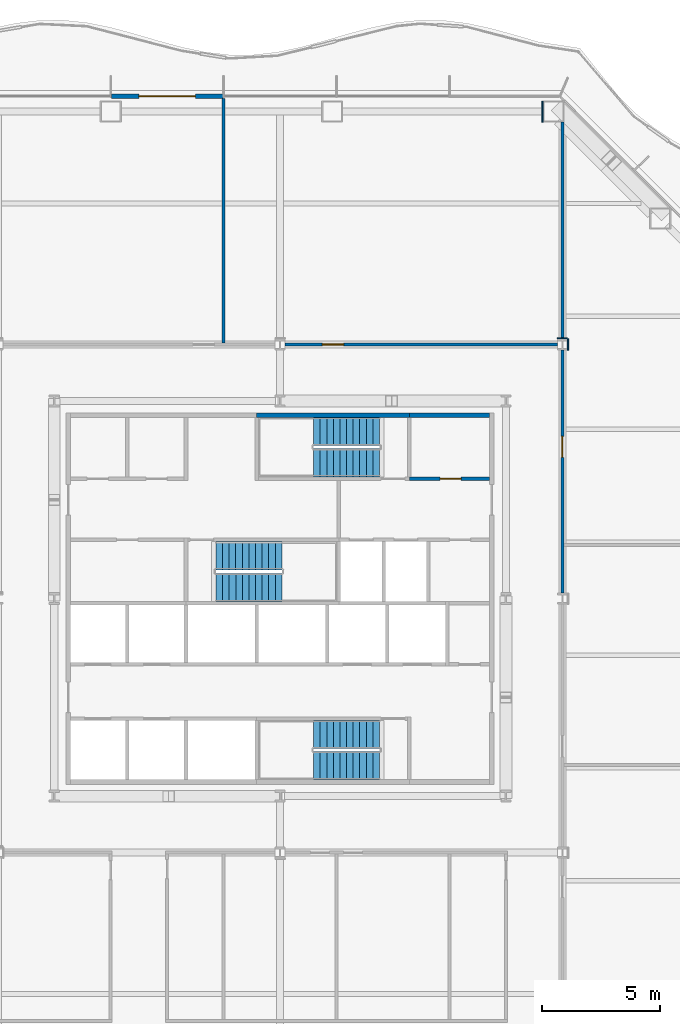
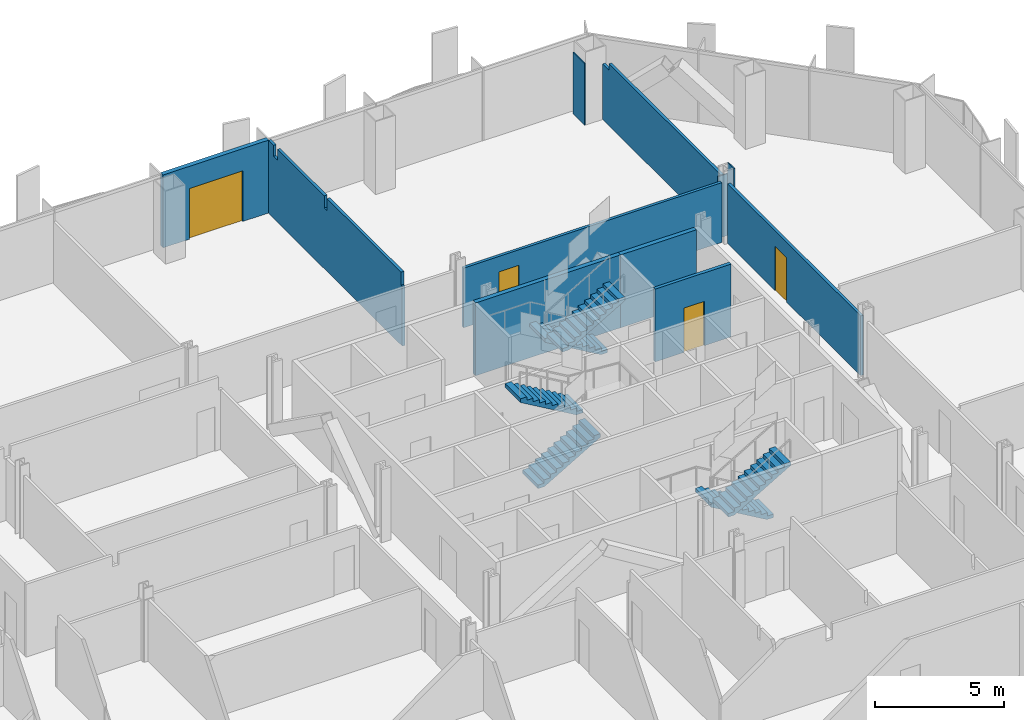
# One storey, part 11 of 18: 11 walls, 6 stair flights, 4 doors, 4 openings, 3 elements without a shape of their own.
"""IFC4 building model written with IfcOpenShell, lengths in metres."""

from ifc_helpers import new_model, si_unit, direction, frame, frame_2d, origin, place, context, subcontext, project, spatial, polyline, rectangle, outline, extrude, material, layer, layer_set, type_object, element, fill, aggregate, save


model = new_model("IFC4")

# Units and contexts
model_context = context("Model", 3, precision=1e-05, world=origin(), true_north=direction((0.0, 1.0)))
body_context = subcontext(model_context, "Body", "Model", "MODEL_VIEW")
ifc_project = project(units=[si_unit("LENGTHUNIT", "METRE"), si_unit("AREAUNIT", "SQUARE_METRE"), si_unit("VOLUMEUNIT", "CUBIC_METRE"), si_unit("PLANEANGLEUNIT", "RADIAN"), si_unit("MASSUNIT", "GRAM", prefix="KILO")], contexts=[model_context])

# Site, building, storey
site_placement = place(None, origin())
site = spatial("IfcSite", under=ifc_project, at=site_placement, CompositionType="ELEMENT")
building_placement = place(site_placement, origin())
building = spatial("IfcBuilding", under=site, at=building_placement, Name="Cairn Pilgrim Tower", CompositionType="ELEMENT")
storey_placement = place(building_placement, frame((0.0, 0.0, 72.60009765625)))
storey = spatial("IfcBuildingStorey", under=building, at=storey_placement, Name="L16", CompositionType="ELEMENT", Elevation=72.60009765625)

# Wall, opening, door
ifc_material_1 = material(Name="Bronze anodised aluminium insulated sandwich panel with mineral wool fill", Category="aluminium")
ifc_layer_1 = layer(ifc_material_1, 0.199951171875)
ifc_layer_set_1 = layer_set([ifc_layer_1], Name="BRONZE INFILL FRAME WALL 200")
wall_type_1 = type_object("IfcWallType", Name="BRONZE INFILL FRAME WALL 200", PredefinedType="NOTDEFINED", material=ifc_layer_set_1)
wall_1_placement = place(storey_placement, frame((4.77001953125, 23.75, 0.0), z_axis=(0.0, 0.0, 1.0), x_axis=(-1.0, 0.0, 0.0)))
wall_1 = element("IfcWall", 1, at=wall_1_placement, inside=storey, type_object=wall_type_1, Name="Bronze infill frame wall IW-N4", PredefinedType="NOTDEFINED", context=body_context, shape_type="SweptSolid", body=[
    extrude(rectangle(XDim=4.739990234375, YDim=0.199951171875, at=frame_2d((2.3701171875, 0.0))), origin(), (0.0, 0.0, 1.0), 3.449951171875),
])
opening_1_placement = place(wall_1_placement, frame((1.169921875, 0.0, 0.0)))
opening_1 = element("IfcOpeningElement", 2, at=opening_1_placement, cuts=wall_1, Name="Opening 1612B", PredefinedType="OPENING", context=body_context, shape_type="SweptSolid", body=[
    extrude(rectangle(XDim=2.39990234375, YDim=2.39990234375, at=frame_2d((1.199951171875, 1.199951171875))), frame((0.0, 0.10986328125, 0.0), z_axis=(0.0, -1.0, 0.0), x_axis=(1.0, 0.0, 0.0)), (0.0, 0.0, 1.0), 0.219970703125),
])
ifc_material_2 = material(Name="Bronze anodised aluminium frame with tinted low-E glass", Category="aluminium")
door_type_1 = type_object("IfcDoorType", Name="BALCONY SLIDING DOOR 2400x2400", OperationType="DOUBLE_DOOR_SLIDING", PredefinedType="DOOR", material=ifc_material_2)
door_1_placement = place(opening_1_placement, origin())
door_1 = element("IfcDoor", 3, at=door_1_placement, inside=storey, type_object=door_type_1, Name="Balcony sliding door 1612B", OperationType="SINGLE_SWING_LEFT", OverallHeight=2.39990234375, OverallWidth=2.39990234375, PredefinedType="DOOR", context=body_context, shape_type="SweptSolid", body=[
    extrude(rectangle(XDim=2.39990234375, YDim=2.39990234375, at=frame_2d((1.199951171875, 1.199951171875))), frame((0.0, 0.02490234375, 0.0), z_axis=(0.0, -1.0, 0.0), x_axis=(1.0, 0.0, 0.0)), (0.0, 0.0, 1.0), 0.050048828125),
])
fill(opening_1, door_1)

# Wall
ifc_material_3 = material(Name="Concrete C32/40", Category="concrete")
ifc_layer_2 = layer(ifc_material_3, 0.199951171875)
ifc_layer_set_2 = layer_set([ifc_layer_2], Name="CORE OUTER WALL 200 EI 120")
wall_type_2 = type_object("IfcWallType", Name="CORE OUTER WALL 200 EI 120", PredefinedType="SOLIDWALL", material=ifc_layer_set_2)
wall_2_placement = place(storey_placement, frame((12.699951171875, 10.199951171875, 0.0), z_axis=(0.0, 0.0, 1.0), x_axis=(1.0, 0.0, 0.0)))
element("IfcWall", 4, at=wall_2_placement, inside=storey, type_object=wall_type_2, Name="CW:L16:H11-3", PredefinedType="SOLIDWALL", context=body_context, shape_type="SweptSolid", body=[
    extrude(rectangle(XDim=3.400146484375, YDim=0.199951171875, at=frame_2d((1.7001953125, 0.0))), origin(), (0.0, 0.0, 1.0), 3.449951171875),
])

# Wall, opening, door
ifc_layer_3 = layer(ifc_material_3, 0.14990234375)
ifc_layer_set_3 = layer_set([ifc_layer_3], Name="CORE SHAFT WALL 150 EI 120")
wall_type_3 = type_object("IfcWallType", Name="CORE SHAFT WALL 150 EI 120", PredefinedType="SOLIDWALL", material=ifc_layer_set_3)
wall_3_placement = place(storey_placement, frame((12.699951171875, 7.5, 0.0), z_axis=(0.0, 0.0, 1.0), x_axis=(1.0, 0.0, 0.0)))
wall_3 = element("IfcWall", 5, at=wall_3_placement, inside=storey, type_object=wall_type_3, Name="CW:L16:H10-2", PredefinedType="SOLIDWALL", context=body_context, shape_type="SweptSolid", body=[
    extrude(rectangle(XDim=3.400146484375, YDim=0.14990234375, at=frame_2d((1.7001953125, 0.0))), origin(), (0.0, 0.0, 1.0), 3.449951171875),
])
opening_2_placement = place(wall_3_placement, frame((1.300048828125, 0.0, 0.0)))
opening_2 = element("IfcOpeningElement", 6, at=opening_2_placement, cuts=wall_3, Name="Opening RD-R4E", PredefinedType="OPENING", context=body_context, shape_type="SweptSolid", body=[
    extrude(rectangle(XDim=0.89990234375, YDim=2.10009765625, at=frame_2d((0.449951171875, 1.050048828125))), frame((0.0, 0.0849609375, 0.0), z_axis=(0.0, -1.0, 0.0), x_axis=(1.0, 0.0, 0.0)), (0.0, 0.0, 1.0), 0.169921875),
])
ifc_material_4 = material(Name="Painted steel", Category="steel")
door_type_2 = type_object("IfcDoorType", Name="SERVICE ROOM DOOR 900x2100", OperationType="SINGLE_SWING_LEFT", PredefinedType="DOOR", material=ifc_material_4)
door_2_placement = place(opening_2_placement, origin())
door_2 = element("IfcDoor", 7, at=door_2_placement, inside=storey, type_object=door_type_2, Name="RD-R4E", OperationType="SINGLE_SWING_RIGHT", OverallHeight=2.10009765625, OverallWidth=0.89990234375, PredefinedType="DOOR", context=body_context, shape_type="SweptSolid", body=[
    extrude(rectangle(XDim=0.89990234375, YDim=2.10009765625, at=frame_2d((0.449951171875, 1.050048828125))), frame((0.0, 0.02490234375, 0.0), z_axis=(0.0, -1.0, 0.0), x_axis=(1.0, 0.0, 0.0)), (0.0, 0.0, 1.0), 0.050048828125),
])
fill(opening_2, door_2)

ifc_material_5 = material(Name="Gypsum partition")
ifc_layer_4 = layer(ifc_material_5, 0.125)
ifc_layer_set_4 = layer_set([ifc_layer_4], Name="PARTITION 125 DRYWALL EI 60")
wall_type_4 = type_object("IfcWallType", Name="PARTITION 125 DRYWALL EI 60", PredefinedType="PARTITIONING", material=ifc_layer_set_4)
wall_4_placement = place(storey_placement, frame((19.199951171875, 2.636962890625, 0.0), z_axis=(0.0, 0.0, 1.0), x_axis=(0.0, 1.0, 0.0)))
wall_4 = element("IfcWall", 8, at=wall_4_placement, inside=storey, type_object=wall_type_4, Name="PARTITION W046", PredefinedType="PARTITIONING", context=body_context, shape_type="SweptSolid", body=[
    extrude(rectangle(XDim=10.325927734375, YDim=0.125, at=frame_2d((5.1630859375, 0.0))), origin(), (0.0, 0.0, 1.0), 2.829833984375),
])
opening_3_placement = place(wall_4_placement, frame((5.762939453125, 0.0, 0.0)))
opening_3 = element("IfcOpeningElement", 9, at=opening_3_placement, cuts=wall_4, Name="Opening 1616", PredefinedType="OPENING", context=body_context, shape_type="SweptSolid", body=[
    extrude(rectangle(XDim=0.89990234375, YDim=2.10009765625, at=frame_2d((0.449951171875, 1.050048828125))), frame((0.0, 0.072509765625, 0.0), z_axis=(0.0, -1.0, 0.0), x_axis=(1.0, 0.0, 0.0)), (0.0, 0.0, 1.0), 0.14501953125),
])
ifc_material_6 = material(Name="Steel-faced fire door leaf", Category="steel")
door_type_3 = type_object("IfcDoorType", Name="FIRE DOOR 900x2100 FD30S", OperationType="NOTDEFINED", PredefinedType="DOOR", material=ifc_material_6)
door_3_placement = place(opening_3_placement, frame((0.89990234375, 0.0, 0.0), z_axis=(0.0, 0.0, 1.0), x_axis=(-1.0, 0.0, 0.0)))
door_3 = element("IfcDoor", 10, at=door_3_placement, inside=storey, type_object=door_type_3, Name="DOOR 1616", OperationType="SINGLE_SWING_LEFT", OverallHeight=2.10009765625, OverallWidth=0.89990234375, PredefinedType="DOOR", context=body_context, shape_type="SweptSolid", body=[
    extrude(rectangle(XDim=0.89990234375, YDim=2.10009765625, at=frame_2d((0.449951171875, 1.050048828125))), frame((0.0, 0.02490234375, 0.0), z_axis=(0.0, -1.0, 0.0), x_axis=(1.0, 0.0, 0.0)), (0.0, 0.0, 1.0), 0.050048828125),
])
fill(opening_3, door_3)

wall_5_placement = place(storey_placement, frame((7.412109375, 13.199951171875, 0.0), z_axis=(0.0, 0.0, 1.0), x_axis=(1.0, 0.0, 0.0)))
wall_5 = element("IfcWall", 11, at=wall_5_placement, inside=storey, type_object=wall_type_4, Name="PARTITION W056", PredefinedType="PARTITIONING", context=body_context, shape_type="SweptSolid", body=[
    extrude(rectangle(XDim=11.575927734375, YDim=0.125, at=frame_2d((5.7880859375, 0.0))), origin(), (0.0, 0.0, 1.0), 2.829833984375),
])
opening_4_placement = place(wall_5_placement, frame((1.587890625, 0.0, 0.0)))
opening_4 = element("IfcOpeningElement", 12, at=opening_4_placement, cuts=wall_5, Name="Opening 1613", PredefinedType="OPENING", context=body_context, shape_type="SweptSolid", body=[
    extrude(rectangle(XDim=0.89990234375, YDim=2.10009765625, at=frame_2d((0.449951171875, 1.050048828125))), frame((0.0, 0.072509765625, 0.0), z_axis=(0.0, -1.0, 0.0), x_axis=(1.0, 0.0, 0.0)), (0.0, 0.0, 1.0), 0.14501953125),
])
door_4_placement = place(opening_4_placement, origin())
door_4 = element("IfcDoor", 13, at=door_4_placement, inside=storey, type_object=door_type_3, Name="DOOR 1613", OperationType="SINGLE_SWING_RIGHT", OverallHeight=2.10009765625, OverallWidth=0.89990234375, PredefinedType="DOOR", context=body_context, shape_type="SweptSolid", body=[
    extrude(rectangle(XDim=0.89990234375, YDim=2.10009765625, at=frame_2d((0.449951171875, 1.050048828125))), frame((0.0, 0.02490234375, 0.0), z_axis=(0.0, -1.0, 0.0), x_axis=(1.0, 0.0, 0.0)), (0.0, 0.0, 1.0), 0.050048828125),
])
fill(opening_4, door_4)

# Walls
wall_6_placement = place(storey_placement, frame((4.800048828125, 13.262451171875, 0.0), z_axis=(0.0, 0.0, 1.0), x_axis=(0.0, 1.0, 0.0)))
element("IfcWall", 14, at=wall_6_placement, inside=storey, type_object=wall_type_4, Name="PARTITION W059", PredefinedType="PARTITIONING", context=body_context, shape_type="SweptSolid", body=[
    extrude(outline(polyline([(0.0, 0.0), (10.387451171875, 0.0), (10.387451171875, 3.449951171875), (9.987548828125, 3.449951171875), (9.985595703125, 2.929931640625), (9.6875, 2.929931640625), (9.685546875, 3.449951171875), (6.04248046875, 3.449951171875), (6.04052734375, 2.8798828125), (5.83251953125, 2.8798828125), (5.83056640625, 3.449951171875), (0.08740234375, 3.449951171875), (0.08544921875, 2.829833984375), (0.0, 2.829833984375), (0.0, 0.0)])), frame((0.0, 0.0625, 0.0), z_axis=(0.0, -1.0, 0.0), x_axis=(1.0, 0.0, 0.0)), (0.0, 0.0, 1.0), 0.125),
])
wall_7_placement = place(storey_placement, frame((19.199951171875, 13.43701171875, 0.0), z_axis=(0.0, 0.0, 1.0), x_axis=(0.0, 1.0, 0.0)))
element("IfcWall", 15, at=wall_7_placement, inside=storey, type_object=wall_type_4, Name="PARTITION W061", PredefinedType="PARTITIONING", context=body_context, shape_type="SweptSolid", body=[
    extrude(outline(polyline([(0.0, 0.0), (9.212890625, 0.0), (9.212890625, 2.6298828125), (8.732666015625, 2.6298828125), (8.730712890625, 2.929931640625), (0.0, 2.929931640625), (0.0, 0.0)])), frame((0.0, 0.0625, 0.0), z_axis=(0.0, -1.0, 0.0), x_axis=(1.0, 0.0, 0.0)), (0.0, 0.0, 1.0), 0.125),
])
ifc_layer_5 = layer(ifc_material_5, 0.050048828125)
ifc_layer_set_5 = layer_set([ifc_layer_5], Name="PARTITION 50 DRYWALL EI 60")
wall_type_5 = type_object("IfcWallType", Name="PARTITION 50 DRYWALL EI 60", PredefinedType="PARTITIONING", material=ifc_layer_set_5)
wall_8_placement = place(storey_placement, frame((19.43701171875, 12.962890625, 0.0), z_axis=(0.0, 0.0, 1.0), x_axis=(0.0, 1.0, 0.0)))
element("IfcWall", 16, at=wall_8_placement, inside=storey, type_object=wall_type_5, Name="COLUMN CASING WC05", PredefinedType="PARTITIONING", context=body_context, shape_type="SweptSolid", body=[
    extrude(rectangle(XDim=0.47412109375, YDim=0.050048828125, at=frame_2d((0.237060546875, 0.0))), origin(), (0.0, 0.0, 1.0), 3.449951171875),
])
wall_9_placement = place(storey_placement, frame((18.988037109375, 13.4619140625, 0.0), z_axis=(0.0, 0.0, 1.0), x_axis=(1.0, 0.0, 0.0)))
element("IfcWall", 17, at=wall_9_placement, inside=storey, type_object=wall_type_5, Name="COLUMN CASING WC22", PredefinedType="PARTITIONING", context=body_context, shape_type="SweptSolid", body=[
    extrude(rectangle(XDim=0.424072265625, YDim=0.050048828125, at=frame_2d((0.2119140625, 0.0))), origin(), (0.0, 0.0, 1.0), 2.929931640625),
])
wall_10_placement = place(storey_placement, frame((18.352294921875, 22.64990234375, 0.0), z_axis=(0.0, 0.0, 1.0), x_axis=(0.0, 1.0, 0.0)))
element("IfcWall", 18, at=wall_10_placement, inside=storey, type_object=wall_type_5, Name="COLUMN CASING WC23", PredefinedType="PARTITIONING", context=body_context, shape_type="SweptSolid", body=[
    extrude(rectangle(XDim=0.900146484375, YDim=0.050048828125, at=frame_2d((0.4501953125, 0.0))), origin(), (0.0, 0.0, 1.0), 2.929931640625),
])
ifc_material_7 = material(Name="Concrete C35/45", Category="concrete")
ifc_layer_6 = layer(ifc_material_7, 0.199951171875)
ifc_layer_set_6 = layer_set([ifc_layer_6], Name="STAIR SHAFT WALL 200 EI 120")
wall_type_6 = type_object("IfcWallType", Name="STAIR SHAFT WALL 200 EI 120", PredefinedType="SOLIDWALL", material=ifc_layer_set_6)
wall_11_placement = place(storey_placement, frame((6.199951171875, 10.199951171875, 0.0), z_axis=(0.0, 0.0, 1.0), x_axis=(1.0, 0.0, 0.0)))
element("IfcWall", 19, at=wall_11_placement, inside=storey, type_object=wall_type_6, Name="CW:L16:H11-2", PredefinedType="SOLIDWALL", context=body_context, shape_type="SweptSolid", body=[
    extrude(rectangle(XDim=6.5, YDim=0.199951171875, at=frame_2d((3.25, 0.0))), origin(), (0.0, 0.0, 1.0), 3.449951171875),
])

# Stair, stair flights
stair_type = type_object("IfcStairType", Name="EXIT STAIR 1200", PredefinedType="HALF_TURN_STAIR", material=ifc_material_3)
stair_1_placement = place(storey_placement, origin())
stair_1 = element("IfcStair", 20, at=stair_1_placement, inside=storey, type_object=stair_type, Name="L16 Exit Stair A", PredefinedType="HALF_TURN_STAIR")
stair_flight_type = type_object("IfcStairFlightType", Name="STAIR FLIGHT 1200", PredefinedType="STRAIGHT", material=ifc_material_3)
stair_flight_1_placement = place(storey_placement, frame((11.425048828125, -3.375, 0.0), z_axis=(0.0, 0.0, 1.0), x_axis=(-1.0, 0.0, 0.0)))
stair_flight_1 = element("IfcStairFlight", 21, at=stair_flight_1_placement, type_object=stair_flight_type, Name="ST-A flight 1", NumberOfRisers=11, NumberOfTreads=10, PredefinedType="STRAIGHT", RiserHeight=0.163636364, TreadLength=0.28, context=body_context, shape_type="SweptSolid", body=[
    extrude(outline(polyline([(0.0, 0.0), (0.0, 0.16357421875), (0.280029296875, 0.16357421875), (0.280029296875, 0.327392578125), (0.56005859375, 0.327392578125), (0.56005859375, 0.490966796875), (0.840087890625, 0.490966796875), (0.840087890625, 0.654541015625), (1.1201171875, 0.654541015625), (1.1201171875, 0.818115234375), (1.39990234375, 0.818115234375), (1.39990234375, 0.98193359375), (1.679931640625, 0.98193359375), (1.679931640625, 1.1455078125), (1.9599609375, 1.1455078125), (1.9599609375, 1.30908203125), (2.239990234375, 1.30908203125), (2.239990234375, 1.47265625), (2.52001953125, 1.47265625), (2.52001953125, 1.636474609375), (2.800048828125, 1.636474609375), (2.800048828125, 1.800048828125), (2.800048828125, 1.462646484375), (0.297119140625, 0.0), (0.0, 0.0)])), frame((0.0, 0.60009765625, 0.0), z_axis=(0.0, -1.0, 0.0), x_axis=(1.0, 0.0, 0.0)), (0.0, 0.0, 1.0), 1.199951171875),
])
stair_flight_2_placement = place(storey_placement, frame((8.625, -4.699951171875, 1.7998046875), z_axis=(0.0, 0.0, 1.0), x_axis=(1.0, 0.0, 0.0)))
stair_flight_2 = element("IfcStairFlight", 22, at=stair_flight_2_placement, type_object=stair_flight_type, Name="ST-A flight 2", NumberOfRisers=11, NumberOfTreads=10, PredefinedType="STRAIGHT", RiserHeight=0.163636364, TreadLength=0.28, context=body_context, shape_type="SweptSolid", body=[
    extrude(outline(polyline([(0.0, 0.0), (0.0, 0.16357421875), (0.280029296875, 0.16357421875), (0.280029296875, 0.327392578125), (0.56005859375, 0.327392578125), (0.56005859375, 0.490966796875), (0.840087890625, 0.490966796875), (0.840087890625, 0.654541015625), (1.1201171875, 0.654541015625), (1.1201171875, 0.818115234375), (1.39990234375, 0.818115234375), (1.39990234375, 0.98193359375), (1.679931640625, 0.98193359375), (1.679931640625, 1.1455078125), (1.9599609375, 1.1455078125), (1.9599609375, 1.30908203125), (2.239990234375, 1.30908203125), (2.239990234375, 1.47265625), (2.52001953125, 1.47265625), (2.52001953125, 1.636474609375), (2.800048828125, 1.636474609375), (2.800048828125, 1.800048828125), (2.800048828125, 1.462646484375), (0.297119140625, 0.0), (0.0, 0.0)])), frame((0.0, 0.60009765625, 0.0), z_axis=(0.0, -1.0, 0.0), x_axis=(1.0, 0.0, 0.0)), (0.0, 0.0, 1.0), 1.199951171875),
])
aggregate(stair_1, [stair_flight_1, stair_flight_2])

stair_2_placement = place(storey_placement, origin())
stair_2 = element("IfcStair", 23, at=stair_2_placement, inside=storey, type_object=stair_type, Name="L16 Exit Stair B", PredefinedType="HALF_TURN_STAIR")
stair_flight_3_placement = place(storey_placement, frame((4.47509765625, 2.875, 0.0), z_axis=(0.0, 0.0, 1.0), x_axis=(1.0, 0.0, 0.0)))
stair_flight_3 = element("IfcStairFlight", 24, at=stair_flight_3_placement, type_object=stair_flight_type, Name="ST-B flight 1", NumberOfRisers=11, NumberOfTreads=10, PredefinedType="STRAIGHT", RiserHeight=0.163636364, TreadLength=0.28, context=body_context, shape_type="SweptSolid", body=[
    extrude(outline(polyline([(0.0, 0.0), (0.0, 0.16357421875), (0.280029296875, 0.16357421875), (0.280029296875, 0.327392578125), (0.56005859375, 0.327392578125), (0.56005859375, 0.490966796875), (0.840087890625, 0.490966796875), (0.840087890625, 0.654541015625), (1.1201171875, 0.654541015625), (1.1201171875, 0.818115234375), (1.39990234375, 0.818115234375), (1.39990234375, 0.98193359375), (1.679931640625, 0.98193359375), (1.679931640625, 1.1455078125), (1.9599609375, 1.1455078125), (1.9599609375, 1.30908203125), (2.239990234375, 1.30908203125), (2.239990234375, 1.47265625), (2.52001953125, 1.47265625), (2.52001953125, 1.636474609375), (2.800048828125, 1.636474609375), (2.800048828125, 1.800048828125), (2.800048828125, 1.462646484375), (0.297119140625, 0.0), (0.0, 0.0)])), frame((0.0, 0.60009765625, 0.0), z_axis=(0.0, -1.0, 0.0), x_axis=(1.0, 0.0, 0.0)), (0.0, 0.0, 1.0), 1.199951171875),
])
stair_flight_4_placement = place(storey_placement, frame((7.27490234375, 4.22509765625, 1.7998046875), z_axis=(0.0, 0.0, 1.0), x_axis=(-1.0, 0.0, 0.0)))
stair_flight_4 = element("IfcStairFlight", 25, at=stair_flight_4_placement, type_object=stair_flight_type, Name="ST-B flight 2", NumberOfRisers=11, NumberOfTreads=10, PredefinedType="STRAIGHT", RiserHeight=0.163636364, TreadLength=0.28, context=body_context, shape_type="SweptSolid", body=[
    extrude(outline(polyline([(0.0, 0.0), (0.0, 0.16357421875), (0.280029296875, 0.16357421875), (0.280029296875, 0.327392578125), (0.56005859375, 0.327392578125), (0.56005859375, 0.490966796875), (0.840087890625, 0.490966796875), (0.840087890625, 0.654541015625), (1.1201171875, 0.654541015625), (1.1201171875, 0.818115234375), (1.39990234375, 0.818115234375), (1.39990234375, 0.98193359375), (1.679931640625, 0.98193359375), (1.679931640625, 1.1455078125), (1.9599609375, 1.1455078125), (1.9599609375, 1.30908203125), (2.239990234375, 1.30908203125), (2.239990234375, 1.47265625), (2.52001953125, 1.47265625), (2.52001953125, 1.636474609375), (2.800048828125, 1.636474609375), (2.800048828125, 1.800048828125), (2.800048828125, 1.462646484375), (0.297119140625, 0.0), (0.0, 0.0)])), frame((0.0, 0.60009765625, 0.0), z_axis=(0.0, -1.0, 0.0), x_axis=(1.0, 0.0, 0.0)), (0.0, 0.0, 1.0), 1.199951171875),
])
aggregate(stair_2, [stair_flight_3, stair_flight_4])

stair_3_placement = place(storey_placement, origin())
stair_3 = element("IfcStair", 26, at=stair_3_placement, inside=storey, type_object=stair_type, Name="L16 Exit Stair C", PredefinedType="HALF_TURN_STAIR")
stair_flight_5_placement = place(storey_placement, frame((11.425048828125, 9.5, 0.0), z_axis=(0.0, 0.0, 1.0), x_axis=(-1.0, 0.0, 0.0)))
stair_flight_5 = element("IfcStairFlight", 27, at=stair_flight_5_placement, type_object=stair_flight_type, Name="ST-C flight 1", NumberOfRisers=11, NumberOfTreads=10, PredefinedType="STRAIGHT", RiserHeight=0.163636364, TreadLength=0.28, context=body_context, shape_type="SweptSolid", body=[
    extrude(outline(polyline([(0.0, 0.0), (0.0, 0.16357421875), (0.280029296875, 0.16357421875), (0.280029296875, 0.327392578125), (0.56005859375, 0.327392578125), (0.56005859375, 0.490966796875), (0.840087890625, 0.490966796875), (0.840087890625, 0.654541015625), (1.1201171875, 0.654541015625), (1.1201171875, 0.818115234375), (1.39990234375, 0.818115234375), (1.39990234375, 0.98193359375), (1.679931640625, 0.98193359375), (1.679931640625, 1.1455078125), (1.9599609375, 1.1455078125), (1.9599609375, 1.30908203125), (2.239990234375, 1.30908203125), (2.239990234375, 1.47265625), (2.52001953125, 1.47265625), (2.52001953125, 1.636474609375), (2.800048828125, 1.636474609375), (2.800048828125, 1.800048828125), (2.800048828125, 1.462646484375), (0.297119140625, 0.0), (0.0, 0.0)])), frame((0.0, 0.60009765625, 0.0), z_axis=(0.0, -1.0, 0.0), x_axis=(1.0, 0.0, 0.0)), (0.0, 0.0, 1.0), 1.199951171875),
])
stair_flight_6_placement = place(storey_placement, frame((8.625, 8.175048828125, 1.7998046875), z_axis=(0.0, 0.0, 1.0), x_axis=(1.0, 0.0, 0.0)))
stair_flight_6 = element("IfcStairFlight", 28, at=stair_flight_6_placement, type_object=stair_flight_type, Name="ST-C flight 2", NumberOfRisers=11, NumberOfTreads=10, PredefinedType="STRAIGHT", RiserHeight=0.163636364, TreadLength=0.28, context=body_context, shape_type="SweptSolid", body=[
    extrude(outline(polyline([(0.0, 0.0), (0.0, 0.16357421875), (0.280029296875, 0.16357421875), (0.280029296875, 0.327392578125), (0.56005859375, 0.327392578125), (0.56005859375, 0.490966796875), (0.840087890625, 0.490966796875), (0.840087890625, 0.654541015625), (1.1201171875, 0.654541015625), (1.1201171875, 0.818115234375), (1.39990234375, 0.818115234375), (1.39990234375, 0.98193359375), (1.679931640625, 0.98193359375), (1.679931640625, 1.1455078125), (1.9599609375, 1.1455078125), (1.9599609375, 1.30908203125), (2.239990234375, 1.30908203125), (2.239990234375, 1.47265625), (2.52001953125, 1.47265625), (2.52001953125, 1.636474609375), (2.800048828125, 1.636474609375), (2.800048828125, 1.800048828125), (2.800048828125, 1.462646484375), (0.297119140625, 0.0), (0.0, 0.0)])), frame((0.0, 0.60009765625, 0.0), z_axis=(0.0, -1.0, 0.0), x_axis=(1.0, 0.0, 0.0)), (0.0, 0.0, 1.0), 1.199951171875),
])
aggregate(stair_3, [stair_flight_5, stair_flight_6])

save(model, "model.ifc")
